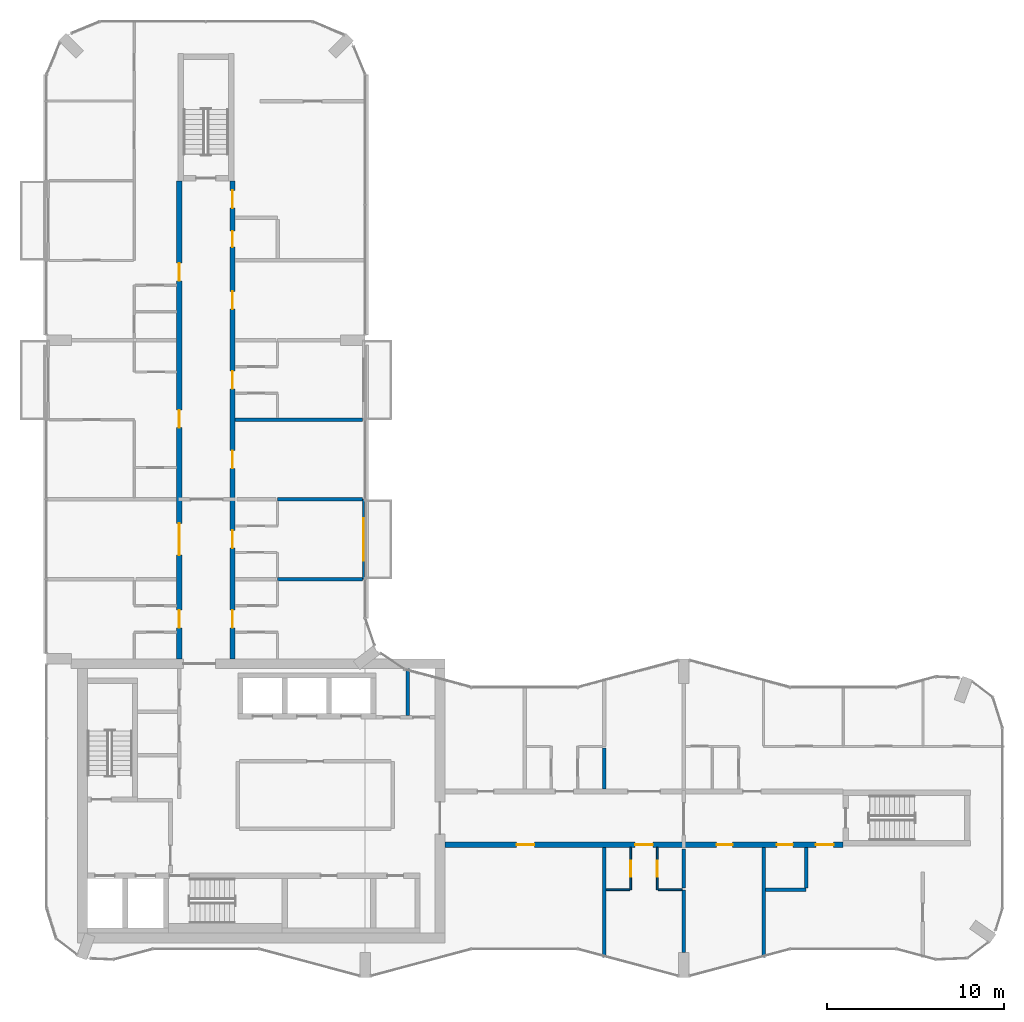
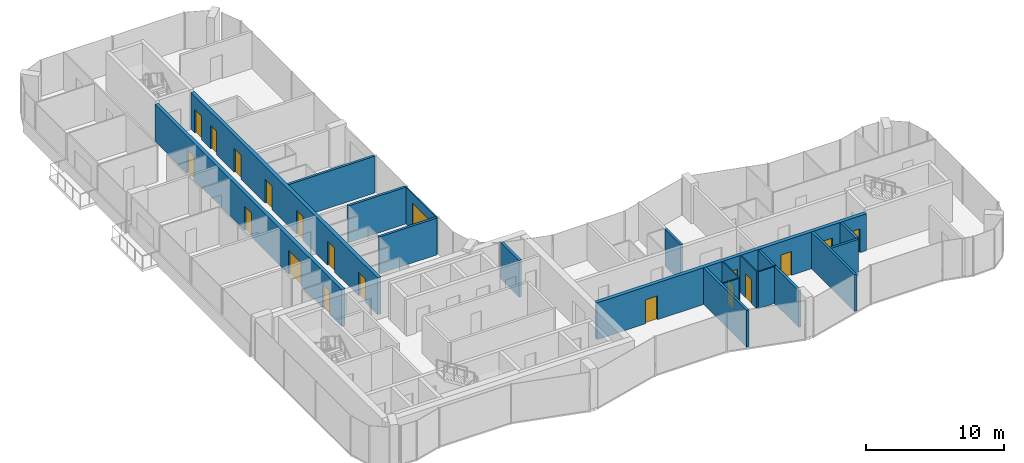
# One storey, part 11 of 15: 19 doors, 19 walls, 19 openings.
"""IFC4 building model written with IfcOpenShell, lengths in metres."""

from ifc_helpers import new_model, si_unit, direction, frame, frame_2d, origin, place, context, subcontext, project, spatial, rectangle, extrude, material, layer, layer_set, type_object, element, fill, save


model = new_model("IFC4")

# Units and contexts
model_context = context("Model", 3, precision=1e-05, world=origin(), true_north=direction((0.0, 1.0)))
body_context = subcontext(model_context, "Body", "Model", "MODEL_VIEW")
ifc_project = project(units=[si_unit("LENGTHUNIT", "METRE"), si_unit("AREAUNIT", "SQUARE_METRE"), si_unit("VOLUMEUNIT", "CUBIC_METRE"), si_unit("PLANEANGLEUNIT", "RADIAN"), si_unit("MASSUNIT", "GRAM", prefix="KILO")], contexts=[model_context])

# Site, building, storey
site_placement = place(None, origin())
site = spatial("IfcSite", under=ifc_project, at=site_placement, CompositionType="ELEMENT")
building_placement = place(site_placement, origin())
building = spatial("IfcBuilding", under=site, at=building_placement, Name="Plateau Cross Towers", CompositionType="ELEMENT")
storey_placement = place(building_placement, frame((0.0, 0.0, 177.89990234375)))
storey = spatial("IfcBuildingStorey", under=building, at=storey_placement, Name="L46", CompositionType="ELEMENT", Elevation=177.89990234375)

# Wall, opening, door
ifc_material_1 = material(Name="Aluminium framed glazing", Category="aluminium")
ifc_layer_1 = layer(ifc_material_1, 0.10009765625)
ifc_layer_set_1 = layer_set([ifc_layer_1], Name="Aluminium framed glazing")
wall_type_1 = type_object("IfcWallType", Name="Balcony screen wall 100", PredefinedType="STANDARD", material=ifc_layer_set_1)
wall_1_placement = place(storey_placement, frame((17.89990234375, 27.0, 0.0), z_axis=(0.0, 0.0, 1.0), x_axis=(0.0, -1.0, 0.0)))
wall_1 = element("IfcWall", 1, at=wall_1_placement, inside=storey, type_object=wall_type_1, Name="Balcony screen wall A-BAL-L46-03", PredefinedType="STANDARD", context=body_context, shape_type="SweptSolid", body=[
    extrude(rectangle(XDim=4.5, YDim=0.10009765625, at=frame_2d((2.25, 0.0))), origin(), (0.0, 0.0, 1.0), 3.25),
])
opening_1_placement = place(wall_1_placement, frame((1.050048828125, 0.0, 0.0)))
opening_1 = element("IfcOpeningElement", 2, at=opening_1_placement, cuts=wall_1, Name="Opening D-B24", PredefinedType="OPENING", context=body_context, shape_type="SweptSolid", body=[
    extrude(rectangle(XDim=2.39990234375, YDim=2.39990234375, at=frame_2d((1.199951171875, 1.199951171875))), frame((0.0, 0.06005859375, 0.0), z_axis=(0.0, -1.0, 0.0), x_axis=(1.0, 0.0, 0.0)), (0.0, 0.0, 1.0), 0.1201171875),
])
ifc_material_2 = material(Name="Aluminium frame, double glazing", Category="aluminium")
door_type_1 = type_object("IfcDoorType", Name="Balcony sliding door 2400", OperationType="NOTDEFINED", PredefinedType="DOOR", material=ifc_material_2)
door_1_placement = place(opening_1_placement, origin())
door_1 = element("IfcDoor", 3, at=door_1_placement, inside=storey, type_object=door_type_1, Name="Balcony door A-BAL-L46-03", OperationType="SINGLE_SWING_LEFT", OverallHeight=2.39990234375, OverallWidth=2.39990234375, PredefinedType="DOOR", context=body_context, shape_type="SweptSolid", body=[
    extrude(rectangle(XDim=2.39990234375, YDim=2.39990234375, at=frame_2d((1.199951171875, 1.199951171875))), frame((0.0, 0.02490234375, 0.0), z_axis=(0.0, -1.0, 0.0), x_axis=(1.0, 0.0, 0.0)), (0.0, 0.0, 1.0), 0.050048828125),
])
fill(opening_1, door_1)

# Wall
ifc_material_3 = material(Name="Concrete block, plastered both sides", Category="concrete")
ifc_layer_2 = layer(ifc_material_3, 0.199951171875)
ifc_layer_set_2 = layer_set([ifc_layer_2], Name="Concrete block, plastered both sides")
wall_type_2 = type_object("IfcWallType", Name="Core partition 200", PredefinedType="PARTITIONING", material=ifc_layer_set_2)
wall_2_placement = place(storey_placement, frame((20.39990234375, 14.800048828125, 0.0), z_axis=(0.0, 0.0, 1.0), x_axis=(0.0, 1.0, 0.0)))
element("IfcWall", 4, at=wall_2_placement, inside=storey, type_object=wall_type_2, Name="Core partition", PredefinedType="PARTITIONING", context=body_context, shape_type="SweptSolid", body=[
    extrude(rectangle(XDim=2.64990234375, YDim=0.199951171875, at=frame_2d((1.324951171875, 0.0))), origin(), (0.0, 0.0, 1.0), 3.25),
])

# Wall, openings, doors
ifc_material_4 = material(Name="Concrete C60/75", Category="concrete")
ifc_layer_3 = layer(ifc_material_4, 0.300048828125)
ifc_layer_set_3 = layer_set([ifc_layer_3], Name="Concrete C60/75")
wall_type_3 = type_object("IfcWallType", Name="Corridor wall 300", PredefinedType="SHEAR", material=ifc_layer_set_3)
wall_3_placement = place(storey_placement, frame((22.5, 7.5, 0.0), z_axis=(0.0, 0.0, 1.0), x_axis=(1.0, 0.0, 0.0)))
wall_3 = element("IfcWall", 5, at=wall_3_placement, inside=storey, type_object=wall_type_3, Name="A-cw-S1@L46", PredefinedType="SHEAR", context=body_context, shape_type="SweptSolid", body=[
    extrude(rectangle(XDim=22.5, YDim=0.300048828125, at=frame_2d((11.25, 0.0))), origin(), (0.0, 0.0, 1.0), 3.25),
])
opening_2_placement = place(wall_3_placement, frame((4.050048828125, 0.0, 0.0)))
opening_2 = element("IfcOpeningElement", 6, at=opening_2_placement, cuts=wall_3, Name="Opening 46-01", PredefinedType="OPENING", context=body_context, shape_type="SweptSolid", body=[
    extrude(rectangle(XDim=1.0, YDim=2.10009765625, at=frame_2d((0.5, 1.050048828125))), frame((0.0, 0.159912109375, 0.0), z_axis=(0.0, -1.0, 0.0), x_axis=(1.0, 0.0, 0.0)), (0.0, 0.0, 1.0), 0.320068359375),
])
opening_3_placement = place(wall_3_placement, frame((10.75, 0.0, 0.0)))
opening_3 = element("IfcOpeningElement", 7, at=opening_3_placement, cuts=wall_3, Name="Opening 46-02", PredefinedType="OPENING", context=body_context, shape_type="SweptSolid", body=[
    extrude(rectangle(XDim=1.0, YDim=2.10009765625, at=frame_2d((0.5, 1.050048828125))), frame((0.0, 0.159912109375, 0.0), z_axis=(0.0, -1.0, 0.0), x_axis=(1.0, 0.0, 0.0)), (0.0, 0.0, 1.0), 0.320068359375),
])
opening_4_placement = place(wall_3_placement, frame((15.35009765625, 0.0, 0.0)))
opening_4 = element("IfcOpeningElement", 8, at=opening_4_placement, cuts=wall_3, Name="Opening 46-03", PredefinedType="OPENING", context=body_context, shape_type="SweptSolid", body=[
    extrude(rectangle(XDim=0.89990234375, YDim=2.10009765625, at=frame_2d((0.449951171875, 1.050048828125))), frame((0.0, 0.159912109375, 0.0), z_axis=(0.0, -1.0, 0.0), x_axis=(1.0, 0.0, 0.0)), (0.0, 0.0, 1.0), 0.320068359375),
])
opening_5_placement = place(wall_3_placement, frame((18.75, 0.0, 0.0)))
opening_5 = element("IfcOpeningElement", 9, at=opening_5_placement, cuts=wall_3, Name="Opening 46-04", PredefinedType="OPENING", context=body_context, shape_type="SweptSolid", body=[
    extrude(rectangle(XDim=0.89990234375, YDim=2.10009765625, at=frame_2d((0.449951171875, 1.050048828125))), frame((0.0, 0.159912109375, 0.0), z_axis=(0.0, -1.0, 0.0), x_axis=(1.0, 0.0, 0.0)), (0.0, 0.0, 1.0), 0.320068359375),
])
opening_6_placement = place(wall_3_placement, frame((20.949951171875, 0.0, 0.0)))
opening_6 = element("IfcOpeningElement", 10, at=opening_6_placement, cuts=wall_3, Name="Opening 46-05", PredefinedType="OPENING", context=body_context, shape_type="SweptSolid", body=[
    extrude(rectangle(XDim=1.0, YDim=2.10009765625, at=frame_2d((0.5, 1.050048828125))), frame((0.0, 0.159912109375, 0.0), z_axis=(0.0, -1.0, 0.0), x_axis=(1.0, 0.0, 0.0)), (0.0, 0.0, 1.0), 0.320068359375),
])
ifc_material_5 = material(Name="Timber, fire-resisting leaf", Category="wood")
door_type_2 = type_object("IfcDoorType", Name="Flat entrance door 1000", OperationType="NOTDEFINED", PredefinedType="DOOR", material=ifc_material_5)
door_2_placement = place(opening_2_placement, origin())
door_2 = element("IfcDoor", 11, at=door_2_placement, inside=storey, type_object=door_type_2, Name="Door 46-01", OperationType="SINGLE_SWING_LEFT", OverallHeight=2.10009765625, OverallWidth=1.0, PredefinedType="DOOR", context=body_context, shape_type="SweptSolid", body=[
    extrude(rectangle(XDim=1.0, YDim=2.10009765625, at=frame_2d((0.5, 1.050048828125))), frame((0.0, 0.02490234375, 0.0), z_axis=(0.0, -1.0, 0.0), x_axis=(1.0, 0.0, 0.0)), (0.0, 0.0, 1.0), 0.050048828125),
])
fill(opening_2, door_2)
door_3_placement = place(opening_3_placement, origin())
door_3 = element("IfcDoor", 12, at=door_3_placement, inside=storey, type_object=door_type_2, Name="Door 46-02", OperationType="SINGLE_SWING_LEFT", OverallHeight=2.10009765625, OverallWidth=1.0, PredefinedType="DOOR", context=body_context, shape_type="SweptSolid", body=[
    extrude(rectangle(XDim=1.0, YDim=2.10009765625, at=frame_2d((0.5, 1.050048828125))), frame((0.0, 0.02490234375, 0.0), z_axis=(0.0, -1.0, 0.0), x_axis=(1.0, 0.0, 0.0)), (0.0, 0.0, 1.0), 0.050048828125),
])
fill(opening_3, door_3)
door_4_placement = place(opening_6_placement, origin())
door_4 = element("IfcDoor", 13, at=door_4_placement, inside=storey, type_object=door_type_2, Name="Door 46-05", OperationType="SINGLE_SWING_RIGHT", OverallHeight=2.10009765625, OverallWidth=1.0, PredefinedType="DOOR", context=body_context, shape_type="SweptSolid", body=[
    extrude(rectangle(XDim=1.0, YDim=2.10009765625, at=frame_2d((0.5, 1.050048828125))), frame((0.0, 0.02490234375, 0.0), z_axis=(0.0, -1.0, 0.0), x_axis=(1.0, 0.0, 0.0)), (0.0, 0.0, 1.0), 0.050048828125),
])
fill(opening_6, door_4)
door_type_3 = type_object("IfcDoorType", Name="Flat floor service door 900", OperationType="NOTDEFINED", PredefinedType="DOOR", material=ifc_material_5)
door_5_placement = place(opening_4_placement, origin())
door_5 = element("IfcDoor", 14, at=door_5_placement, inside=storey, type_object=door_type_3, Name="Door 46-03", OperationType="SINGLE_SWING_RIGHT", OverallHeight=2.10009765625, OverallWidth=0.89990234375, PredefinedType="DOOR", context=body_context, shape_type="SweptSolid", body=[
    extrude(rectangle(XDim=0.89990234375, YDim=2.10009765625, at=frame_2d((0.449951171875, 1.050048828125))), frame((0.0, 0.02490234375, 0.0), z_axis=(0.0, -1.0, 0.0), x_axis=(1.0, 0.0, 0.0)), (0.0, 0.0, 1.0), 0.050048828125),
])
fill(opening_4, door_5)
door_6_placement = place(opening_5_placement, origin())
door_6 = element("IfcDoor", 15, at=door_6_placement, inside=storey, type_object=door_type_3, Name="Door 46-04", OperationType="SINGLE_SWING_RIGHT", OverallHeight=2.10009765625, OverallWidth=0.89990234375, PredefinedType="DOOR", context=body_context, shape_type="SweptSolid", body=[
    extrude(rectangle(XDim=0.89990234375, YDim=2.10009765625, at=frame_2d((0.449951171875, 1.050048828125))), frame((0.0, 0.02490234375, 0.0), z_axis=(0.0, -1.0, 0.0), x_axis=(1.0, 0.0, 0.0)), (0.0, 0.0, 1.0), 0.050048828125),
])
fill(opening_5, door_6)

wall_4_placement = place(storey_placement, frame((7.5, 18.0, 0.0), z_axis=(0.0, 0.0, 1.0), x_axis=(0.0, 1.0, 0.0)))
wall_4 = element("IfcWall", 16, at=wall_4_placement, inside=storey, type_object=wall_type_3, Name="A-cw-W1@L46", PredefinedType="SHEAR", context=body_context, shape_type="SweptSolid", body=[
    extrude(rectangle(XDim=27.0, YDim=0.300048828125, at=frame_2d((13.5, 0.0))), origin(), (0.0, 0.0, 1.0), 3.25),
])
opening_7_placement = place(wall_4_placement, frame((1.75, 0.0, 0.0)))
opening_7 = element("IfcOpeningElement", 17, at=opening_7_placement, cuts=wall_4, Name="Opening 46-10", PredefinedType="OPENING", context=body_context, shape_type="SweptSolid", body=[
    extrude(rectangle(XDim=1.0, YDim=2.10009765625, at=frame_2d((0.5, 1.050048828125))), frame((0.0, 0.159912109375, 0.0), z_axis=(0.0, -1.0, 0.0), x_axis=(1.0, 0.0, 0.0)), (0.0, 0.0, 1.0), 0.320068359375),
])
opening_8_placement = place(wall_4_placement, frame((5.85009765625, 0.0, 0.0)))
opening_8 = element("IfcOpeningElement", 18, at=opening_8_placement, cuts=wall_4, Name="Opening 46-11", PredefinedType="OPENING", context=body_context, shape_type="SweptSolid", body=[
    extrude(rectangle(XDim=1.800048828125, YDim=2.10009765625, at=frame_2d((0.89990234375, 1.050048828125))), frame((0.0, 0.159912109375, 0.0), z_axis=(0.0, -1.0, 0.0), x_axis=(1.0, 0.0, 0.0)), (0.0, 0.0, 1.0), 0.320068359375),
])
opening_9_placement = place(wall_4_placement, frame((13.050048828125, 0.0, 0.0)))
opening_9 = element("IfcOpeningElement", 19, at=opening_9_placement, cuts=wall_4, Name="Opening 46-12", PredefinedType="OPENING", context=body_context, shape_type="SweptSolid", body=[
    extrude(rectangle(XDim=1.0, YDim=2.10009765625, at=frame_2d((0.5, 1.050048828125))), frame((0.0, 0.159912109375, 0.0), z_axis=(0.0, -1.0, 0.0), x_axis=(1.0, 0.0, 0.0)), (0.0, 0.0, 1.0), 0.320068359375),
])
opening_10_placement = place(wall_4_placement, frame((21.35009765625, 0.0, 0.0)))
opening_10 = element("IfcOpeningElement", 20, at=opening_10_placement, cuts=wall_4, Name="Opening 46-13", PredefinedType="OPENING", context=body_context, shape_type="SweptSolid", body=[
    extrude(rectangle(XDim=1.0, YDim=2.10009765625, at=frame_2d((0.5, 1.050048828125))), frame((0.0, 0.159912109375, 0.0), z_axis=(0.0, -1.0, 0.0), x_axis=(1.0, 0.0, 0.0)), (0.0, 0.0, 1.0), 0.320068359375),
])
door_7_placement = place(opening_7_placement, origin())
door_7 = element("IfcDoor", 21, at=door_7_placement, inside=storey, type_object=door_type_2, Name="Door 46-10", OperationType="SINGLE_SWING_LEFT", OverallHeight=2.10009765625, OverallWidth=1.0, PredefinedType="DOOR", context=body_context, shape_type="SweptSolid", body=[
    extrude(rectangle(XDim=1.0, YDim=2.10009765625, at=frame_2d((0.5, 1.050048828125))), frame((0.0, 0.02490234375, 0.0), z_axis=(0.0, -1.0, 0.0), x_axis=(1.0, 0.0, 0.0)), (0.0, 0.0, 1.0), 0.050048828125),
])
fill(opening_7, door_7)
door_8_placement = place(opening_9_placement, origin())
door_8 = element("IfcDoor", 22, at=door_8_placement, inside=storey, type_object=door_type_2, Name="Door 46-12", OperationType="SINGLE_SWING_RIGHT", OverallHeight=2.10009765625, OverallWidth=1.0, PredefinedType="DOOR", context=body_context, shape_type="SweptSolid", body=[
    extrude(rectangle(XDim=1.0, YDim=2.10009765625, at=frame_2d((0.5, 1.050048828125))), frame((0.0, 0.02490234375, 0.0), z_axis=(0.0, -1.0, 0.0), x_axis=(1.0, 0.0, 0.0)), (0.0, 0.0, 1.0), 0.050048828125),
])
fill(opening_9, door_8)
door_9_placement = place(opening_10_placement, origin())
door_9 = element("IfcDoor", 23, at=door_9_placement, inside=storey, type_object=door_type_2, Name="Door 46-13", OperationType="SINGLE_SWING_RIGHT", OverallHeight=2.10009765625, OverallWidth=1.0, PredefinedType="DOOR", context=body_context, shape_type="SweptSolid", body=[
    extrude(rectangle(XDim=1.0, YDim=2.10009765625, at=frame_2d((0.5, 1.050048828125))), frame((0.0, 0.02490234375, 0.0), z_axis=(0.0, -1.0, 0.0), x_axis=(1.0, 0.0, 0.0)), (0.0, 0.0, 1.0), 0.050048828125),
])
fill(opening_10, door_9)
ifc_material_6 = material(Name="Timber, fire-resisting leaves", Category="wood")
door_type_4 = type_object("IfcDoorType", Name="Flat floor fire door pair 1800", OperationType="NOTDEFINED", PredefinedType="DOOR", material=ifc_material_6)
door_10_placement = place(opening_8_placement, origin())
door_10 = element("IfcDoor", 24, at=door_10_placement, inside=storey, type_object=door_type_4, Name="Door 46-11", OperationType="SINGLE_SWING_LEFT", OverallHeight=2.10009765625, OverallWidth=1.800048828125, PredefinedType="DOOR", context=body_context, shape_type="SweptSolid", body=[
    extrude(rectangle(XDim=1.800048828125, YDim=2.10009765625, at=frame_2d((0.89990234375, 1.050048828125))), frame((0.0, 0.02490234375, 0.0), z_axis=(0.0, -1.0, 0.0), x_axis=(1.0, 0.0, 0.0)), (0.0, 0.0, 1.0), 0.050048828125),
])
fill(opening_8, door_10)

wall_5_placement = place(storey_placement, frame((10.5, 18.0, 0.0), z_axis=(0.0, 0.0, 1.0), x_axis=(0.0, 1.0, 0.0)))
wall_5 = element("IfcWall", 25, at=wall_5_placement, inside=storey, type_object=wall_type_3, Name="A-cw-W2@L46", PredefinedType="SHEAR", context=body_context, shape_type="SweptSolid", body=[
    extrude(rectangle(XDim=27.0, YDim=0.300048828125, at=frame_2d((13.5, 0.0))), origin(), (0.0, 0.0, 1.0), 3.25),
])
opening_11_placement = place(wall_5_placement, frame((1.75, 0.0, 0.0)))
opening_11 = element("IfcOpeningElement", 26, at=opening_11_placement, cuts=wall_5, Name="Opening 46-14", PredefinedType="OPENING", context=body_context, shape_type="SweptSolid", body=[
    extrude(rectangle(XDim=1.0, YDim=2.10009765625, at=frame_2d((0.5, 1.050048828125))), frame((0.0, 0.159912109375, 0.0), z_axis=(0.0, -1.0, 0.0), x_axis=(1.0, 0.0, 0.0)), (0.0, 0.0, 1.0), 0.320068359375),
])
opening_12_placement = place(wall_5_placement, frame((6.25, 0.0, 0.0)))
opening_12 = element("IfcOpeningElement", 27, at=opening_12_placement, cuts=wall_5, Name="Opening 46-15", PredefinedType="OPENING", context=body_context, shape_type="SweptSolid", body=[
    extrude(rectangle(XDim=1.0, YDim=2.10009765625, at=frame_2d((0.5, 1.050048828125))), frame((0.0, 0.159912109375, 0.0), z_axis=(0.0, -1.0, 0.0), x_axis=(1.0, 0.0, 0.0)), (0.0, 0.0, 1.0), 0.320068359375),
])
opening_13_placement = place(wall_5_placement, frame((10.75, 0.0, 0.0)))
opening_13 = element("IfcOpeningElement", 28, at=opening_13_placement, cuts=wall_5, Name="Opening 46-16", PredefinedType="OPENING", context=body_context, shape_type="SweptSolid", body=[
    extrude(rectangle(XDim=1.0, YDim=2.10009765625, at=frame_2d((0.5, 1.050048828125))), frame((0.0, 0.159912109375, 0.0), z_axis=(0.0, -1.0, 0.0), x_axis=(1.0, 0.0, 0.0)), (0.0, 0.0, 1.0), 0.320068359375),
])
opening_14_placement = place(wall_5_placement, frame((15.25, 0.0, 0.0)))
opening_14 = element("IfcOpeningElement", 29, at=opening_14_placement, cuts=wall_5, Name="Opening 46-17", PredefinedType="OPENING", context=body_context, shape_type="SweptSolid", body=[
    extrude(rectangle(XDim=1.0, YDim=2.10009765625, at=frame_2d((0.5, 1.050048828125))), frame((0.0, 0.159912109375, 0.0), z_axis=(0.0, -1.0, 0.0), x_axis=(1.0, 0.0, 0.0)), (0.0, 0.0, 1.0), 0.320068359375),
])
opening_15_placement = place(wall_5_placement, frame((19.75, 0.0, 0.0)))
opening_15 = element("IfcOpeningElement", 30, at=opening_15_placement, cuts=wall_5, Name="Opening 46-18", PredefinedType="OPENING", context=body_context, shape_type="SweptSolid", body=[
    extrude(rectangle(XDim=1.0, YDim=2.10009765625, at=frame_2d((0.5, 1.050048828125))), frame((0.0, 0.159912109375, 0.0), z_axis=(0.0, -1.0, 0.0), x_axis=(1.0, 0.0, 0.0)), (0.0, 0.0, 1.0), 0.320068359375),
])
opening_16_placement = place(wall_5_placement, frame((23.25, 0.0, 0.0)))
opening_16 = element("IfcOpeningElement", 31, at=opening_16_placement, cuts=wall_5, Name="Opening 46-19", PredefinedType="OPENING", context=body_context, shape_type="SweptSolid", body=[
    extrude(rectangle(XDim=0.89990234375, YDim=2.10009765625, at=frame_2d((0.449951171875, 1.050048828125))), frame((0.0, 0.159912109375, 0.0), z_axis=(0.0, -1.0, 0.0), x_axis=(1.0, 0.0, 0.0)), (0.0, 0.0, 1.0), 0.320068359375),
])
opening_17_placement = place(wall_5_placement, frame((25.449951171875, 0.0, 0.0)))
opening_17 = element("IfcOpeningElement", 32, at=opening_17_placement, cuts=wall_5, Name="Opening 46-20", PredefinedType="OPENING", context=body_context, shape_type="SweptSolid", body=[
    extrude(rectangle(XDim=1.0, YDim=2.10009765625, at=frame_2d((0.5, 1.050048828125))), frame((0.0, 0.159912109375, 0.0), z_axis=(0.0, -1.0, 0.0), x_axis=(1.0, 0.0, 0.0)), (0.0, 0.0, 1.0), 0.320068359375),
])
door_11_placement = place(opening_11_placement, origin())
door_11 = element("IfcDoor", 33, at=door_11_placement, inside=storey, type_object=door_type_2, Name="Door 46-14", OperationType="SINGLE_SWING_LEFT", OverallHeight=2.10009765625, OverallWidth=1.0, PredefinedType="DOOR", context=body_context, shape_type="SweptSolid", body=[
    extrude(rectangle(XDim=1.0, YDim=2.10009765625, at=frame_2d((0.5, 1.050048828125))), frame((0.0, 0.02490234375, 0.0), z_axis=(0.0, -1.0, 0.0), x_axis=(1.0, 0.0, 0.0)), (0.0, 0.0, 1.0), 0.050048828125),
])
fill(opening_11, door_11)
door_12_placement = place(opening_12_placement, origin())
door_12 = element("IfcDoor", 34, at=door_12_placement, inside=storey, type_object=door_type_2, Name="Door 46-15", OperationType="SINGLE_SWING_LEFT", OverallHeight=2.10009765625, OverallWidth=1.0, PredefinedType="DOOR", context=body_context, shape_type="SweptSolid", body=[
    extrude(rectangle(XDim=1.0, YDim=2.10009765625, at=frame_2d((0.5, 1.050048828125))), frame((0.0, 0.02490234375, 0.0), z_axis=(0.0, -1.0, 0.0), x_axis=(1.0, 0.0, 0.0)), (0.0, 0.0, 1.0), 0.050048828125),
])
fill(opening_12, door_12)
door_13_placement = place(opening_13_placement, origin())
door_13 = element("IfcDoor", 35, at=door_13_placement, inside=storey, type_object=door_type_2, Name="Door 46-16", OperationType="SINGLE_SWING_LEFT", OverallHeight=2.10009765625, OverallWidth=1.0, PredefinedType="DOOR", context=body_context, shape_type="SweptSolid", body=[
    extrude(rectangle(XDim=1.0, YDim=2.10009765625, at=frame_2d((0.5, 1.050048828125))), frame((0.0, 0.02490234375, 0.0), z_axis=(0.0, -1.0, 0.0), x_axis=(1.0, 0.0, 0.0)), (0.0, 0.0, 1.0), 0.050048828125),
])
fill(opening_13, door_13)
door_14_placement = place(opening_14_placement, origin())
door_14 = element("IfcDoor", 36, at=door_14_placement, inside=storey, type_object=door_type_2, Name="Door 46-17", OperationType="SINGLE_SWING_RIGHT", OverallHeight=2.10009765625, OverallWidth=1.0, PredefinedType="DOOR", context=body_context, shape_type="SweptSolid", body=[
    extrude(rectangle(XDim=1.0, YDim=2.10009765625, at=frame_2d((0.5, 1.050048828125))), frame((0.0, 0.02490234375, 0.0), z_axis=(0.0, -1.0, 0.0), x_axis=(1.0, 0.0, 0.0)), (0.0, 0.0, 1.0), 0.050048828125),
])
fill(opening_14, door_14)
door_15_placement = place(opening_15_placement, origin())
door_15 = element("IfcDoor", 37, at=door_15_placement, inside=storey, type_object=door_type_2, Name="Door 46-18", OperationType="SINGLE_SWING_RIGHT", OverallHeight=2.10009765625, OverallWidth=1.0, PredefinedType="DOOR", context=body_context, shape_type="SweptSolid", body=[
    extrude(rectangle(XDim=1.0, YDim=2.10009765625, at=frame_2d((0.5, 1.050048828125))), frame((0.0, 0.02490234375, 0.0), z_axis=(0.0, -1.0, 0.0), x_axis=(1.0, 0.0, 0.0)), (0.0, 0.0, 1.0), 0.050048828125),
])
fill(opening_15, door_15)
door_16_placement = place(opening_17_placement, origin())
door_16 = element("IfcDoor", 38, at=door_16_placement, inside=storey, type_object=door_type_2, Name="Door 46-20", OperationType="SINGLE_SWING_RIGHT", OverallHeight=2.10009765625, OverallWidth=1.0, PredefinedType="DOOR", context=body_context, shape_type="SweptSolid", body=[
    extrude(rectangle(XDim=1.0, YDim=2.10009765625, at=frame_2d((0.5, 1.050048828125))), frame((0.0, 0.02490234375, 0.0), z_axis=(0.0, -1.0, 0.0), x_axis=(1.0, 0.0, 0.0)), (0.0, 0.0, 1.0), 0.050048828125),
])
fill(opening_17, door_16)
door_17_placement = place(opening_16_placement, origin())
door_17 = element("IfcDoor", 39, at=door_17_placement, inside=storey, type_object=door_type_3, Name="Door 46-19", OperationType="SINGLE_SWING_RIGHT", OverallHeight=2.10009765625, OverallWidth=0.89990234375, PredefinedType="DOOR", context=body_context, shape_type="SweptSolid", body=[
    extrude(rectangle(XDim=0.89990234375, YDim=2.10009765625, at=frame_2d((0.449951171875, 1.050048828125))), frame((0.0, 0.02490234375, 0.0), z_axis=(0.0, -1.0, 0.0), x_axis=(1.0, 0.0, 0.0)), (0.0, 0.0, 1.0), 0.050048828125),
])
fill(opening_16, door_17)

# Walls
ifc_material_7 = material(Name="Gypsum board on steel studs", Category="steel")
ifc_layer_4 = layer(ifc_material_7, 0.10009765625)
ifc_layer_set_4 = layer_set([ifc_layer_4], Name="Gypsum board on steel studs")
wall_type_4 = type_object("IfcWallType", Name="Flat partition 100", PredefinedType="PARTITIONING", material=ifc_layer_set_4)
for number, where, z_axis, x_axis, name in (
    (40, (31.60009765625, 4.949951171875, 0.0), (0.0, 0.0, 1.0), (1.0, 0.0, 0.0), "Partition wall"),
    (41, (34.550048828125, 4.949951171875, 0.0), (0.0, 0.0, 1.0), (1.0, 0.0, 0.0), "Partition wall"),
):
    element("IfcWall", number, at=place(storey_placement, frame(where, z_axis=z_axis, x_axis=x_axis)), inside=storey, type_object=wall_type_4, Name=name, PredefinedType="PARTITIONING", context=body_context, shape_type="SweptSolid", body=[
        extrude(rectangle(XDim=1.349853515625, YDim=0.10009765625, at=frame_2d((0.6748046875, 0.0))), origin(), (0.0, 0.0, 1.0), 3.25),
    ])

# Wall, opening, door
wall_6_placement = place(storey_placement, frame((33.0, 4.949951171875, 0.0), z_axis=(0.0, 0.0, 1.0), x_axis=(0.0, 1.0, 0.0)))
wall_6 = element("IfcWall", 42, at=wall_6_placement, inside=storey, type_object=wall_type_4, Name="Partition wall", PredefinedType="PARTITIONING", context=body_context, shape_type="SweptSolid", body=[
    extrude(rectangle(XDim=2.400146484375, YDim=0.10009765625, at=frame_2d((1.2001953125, 0.0))), origin(), (0.0, 0.0, 1.0), 3.25),
])
opening_18_placement = place(wall_6_placement, frame((0.75, 0.0, 0.0)))
opening_18 = element("IfcOpeningElement", 43, at=opening_18_placement, cuts=wall_6, Name="Opening 46-25", PredefinedType="OPENING", context=body_context, shape_type="SweptSolid", body=[
    extrude(rectangle(XDim=0.89990234375, YDim=2.10009765625, at=frame_2d((0.449951171875, 1.050048828125))), frame((0.0, 0.06005859375, 0.0), z_axis=(0.0, -1.0, 0.0), x_axis=(1.0, 0.0, 0.0)), (0.0, 0.0, 1.0), 0.1201171875),
])
ifc_material_8 = material(Name="Timber leaf", Category="wood")
door_type_5 = type_object("IfcDoorType", Name="Flat room door 900", OperationType="NOTDEFINED", PredefinedType="DOOR", material=ifc_material_8)
door_18_placement = place(opening_18_placement, origin())
door_18 = element("IfcDoor", 44, at=door_18_placement, inside=storey, type_object=door_type_5, Name="Door 46-25", OperationType="SINGLE_SWING_RIGHT", OverallHeight=2.10009765625, OverallWidth=0.89990234375, PredefinedType="DOOR", context=body_context, shape_type="SweptSolid", body=[
    extrude(rectangle(XDim=0.89990234375, YDim=2.10009765625, at=frame_2d((0.449951171875, 1.050048828125))), frame((0.0, 0.02490234375, 0.0), z_axis=(0.0, -1.0, 0.0), x_axis=(1.0, 0.0, 0.0)), (0.0, 0.0, 1.0), 0.050048828125),
])
fill(opening_18, door_18)

wall_7_placement = place(storey_placement, frame((34.5, 7.35009765625, 0.0), z_axis=(0.0, 0.0, 1.0), x_axis=(0.0, -1.0, 0.0)))
wall_7 = element("IfcWall", 45, at=wall_7_placement, inside=storey, type_object=wall_type_4, Name="Partition wall", PredefinedType="PARTITIONING", context=body_context, shape_type="SweptSolid", body=[
    extrude(rectangle(XDim=2.400146484375, YDim=0.10009765625, at=frame_2d((1.2001953125, 0.0))), origin(), (0.0, 0.0, 1.0), 3.25),
])
opening_19_placement = place(wall_7_placement, frame((0.75, 0.0, 0.0)))
opening_19 = element("IfcOpeningElement", 46, at=opening_19_placement, cuts=wall_7, Name="Opening 46-26", PredefinedType="OPENING", context=body_context, shape_type="SweptSolid", body=[
    extrude(rectangle(XDim=0.89990234375, YDim=2.10009765625, at=frame_2d((0.449951171875, 1.050048828125))), frame((0.0, 0.06005859375, 0.0), z_axis=(0.0, -1.0, 0.0), x_axis=(1.0, 0.0, 0.0)), (0.0, 0.0, 1.0), 0.1201171875),
])
door_19_placement = place(opening_19_placement, origin())
door_19 = element("IfcDoor", 47, at=door_19_placement, inside=storey, type_object=door_type_5, Name="Door 46-26", OperationType="SINGLE_SWING_RIGHT", OverallHeight=2.10009765625, OverallWidth=0.89990234375, PredefinedType="DOOR", context=body_context, shape_type="SweptSolid", body=[
    extrude(rectangle(XDim=0.89990234375, YDim=2.10009765625, at=frame_2d((0.449951171875, 1.050048828125))), frame((0.0, 0.02490234375, 0.0), z_axis=(0.0, -1.0, 0.0), x_axis=(1.0, 0.0, 0.0)), (0.0, 0.0, 1.0), 0.050048828125),
])
fill(opening_19, door_19)

# Walls
ifc_material_9 = material(Name="Gypsum board on steel studs, two layers each side", Category="steel")
ifc_layer_5 = layer(ifc_material_9, 0.199951171875)
ifc_layer_set_5 = layer_set([ifc_layer_5], Name="Gypsum board on steel studs, two layers each side")
wall_type_5 = type_object("IfcWallType", Name="Flat party wall 200", PredefinedType="PARTITIONING", material=ifc_layer_set_5)
wall_8_placement = place(storey_placement, frame((40.60009765625, 4.949951171875, 0.0), z_axis=(0.0, 0.0, 1.0), x_axis=(1.0, 0.0, 0.0)))
element("IfcWall", 48, at=wall_8_placement, inside=storey, type_object=wall_type_5, Name="Party wall", PredefinedType="PARTITIONING", context=body_context, shape_type="SweptSolid", body=[
    extrude(rectangle(XDim=2.2998046875, YDim=0.199951171875, at=frame_2d((1.14990234375, 0.0))), origin(), (0.0, 0.0, 1.0), 3.25),
])
for number, where, z_axis, x_axis, name in (
    (49, (13.050048828125, 22.5, 0.0), (0.0, 0.0, 1.0), (1.0, 0.0, 0.0), "Party wall"),
    (50, (13.050048828125, 27.0, 0.0), (0.0, 0.0, 1.0), (1.0, 0.0, 0.0), "Party wall"),
):
    element("IfcWall", number, at=place(storey_placement, frame(where, z_axis=z_axis, x_axis=x_axis)), inside=storey, type_object=wall_type_5, Name=name, PredefinedType="PARTITIONING", context=body_context, shape_type="SweptSolid", body=[
        extrude(rectangle(XDim=4.800048828125, YDim=0.199951171875, at=frame_2d((2.39990234375, 0.0))), origin(), (0.0, 0.0, 1.0), 3.25),
    ])
wall_9_placement = place(storey_placement, frame((17.85009765625, 31.5, 0.0), z_axis=(0.0, 0.0, 1.0), x_axis=(-1.0, 0.0, 0.0)))
element("IfcWall", 51, at=wall_9_placement, inside=storey, type_object=wall_type_5, Name="Party wall", PredefinedType="PARTITIONING", context=body_context, shape_type="SweptSolid", body=[
    extrude(rectangle(XDim=7.2001953125, YDim=0.199951171875, at=frame_2d((3.60009765625, 0.0))), origin(), (0.0, 0.0, 1.0), 3.25),
])
wall_10_placement = place(storey_placement, frame((31.5, 1.122314453125, 0.0), z_axis=(0.0, 0.0, 1.0), x_axis=(0.0, 1.0, 0.0)))
element("IfcWall", 52, at=wall_10_placement, inside=storey, type_object=wall_type_5, Name="Party wall", PredefinedType="PARTITIONING", context=body_context, shape_type="SweptSolid", body=[
    extrude(rectangle(XDim=6.227783203125, YDim=0.199951171875, at=frame_2d((3.11376953125, 0.0))), origin(), (0.0, 0.0, 1.0), 3.25),
])
wall_11_placement = place(storey_placement, frame((31.5, 10.64990234375, 0.0), z_axis=(0.0, 0.0, 1.0), x_axis=(0.0, 1.0, 0.0)))
element("IfcWall", 53, at=wall_11_placement, inside=storey, type_object=wall_type_5, Name="Party wall", PredefinedType="PARTITIONING", context=body_context, shape_type="SweptSolid", body=[
    extrude(rectangle(XDim=2.300048828125, YDim=0.199951171875, at=frame_2d((1.14990234375, 0.0))), origin(), (0.0, 0.0, 1.0), 3.25),
])
wall_12_placement = place(storey_placement, frame((36.0, 4.949951171875, 0.0), z_axis=(0.0, 0.0, 1.0), x_axis=(0.0, -1.0, 0.0)))
element("IfcWall", 54, at=wall_12_placement, inside=storey, type_object=wall_type_5, Name="Party wall", PredefinedType="PARTITIONING", context=body_context, shape_type="SweptSolid", body=[
    extrude(rectangle(XDim=3.550048828125, YDim=0.199951171875, at=frame_2d((1.77490234375, 0.0))), origin(), (0.0, 0.0, 1.0), 3.25),
])
wall_13_placement = place(storey_placement, frame((36.0, 5.050048828125, 0.0), z_axis=(0.0, 0.0, 1.0), x_axis=(0.0, 1.0, 0.0)))
element("IfcWall", 55, at=wall_13_placement, inside=storey, type_object=wall_type_5, Name="Party wall", PredefinedType="PARTITIONING", context=body_context, shape_type="SweptSolid", body=[
    extrude(rectangle(XDim=2.199951171875, YDim=0.199951171875, at=frame_2d((1.10009765625, 0.0))), origin(), (0.0, 0.0, 1.0), 3.25),
])
wall_14_placement = place(storey_placement, frame((40.5, 1.122314453125, 0.0), z_axis=(0.0, 0.0, 1.0), x_axis=(0.0, 1.0, 0.0)))
element("IfcWall", 56, at=wall_14_placement, inside=storey, type_object=wall_type_5, Name="Party wall", PredefinedType="PARTITIONING", context=body_context, shape_type="SweptSolid", body=[
    extrude(rectangle(XDim=6.227783203125, YDim=0.199951171875, at=frame_2d((3.11376953125, 0.0))), origin(), (0.0, 0.0, 1.0), 3.25),
])
wall_15_placement = place(storey_placement, frame((42.89990234375, 5.050048828125, 0.0), z_axis=(0.0, 0.0, 1.0), x_axis=(0.0, 1.0, 0.0)))
element("IfcWall", 57, at=wall_15_placement, inside=storey, type_object=wall_type_5, Name="Party wall", PredefinedType="PARTITIONING", context=body_context, shape_type="SweptSolid", body=[
    extrude(rectangle(XDim=2.300048828125, YDim=0.199951171875, at=frame_2d((1.14990234375, 0.0))), origin(), (0.0, 0.0, 1.0), 3.25),
])

save(model, "model.ifc")
